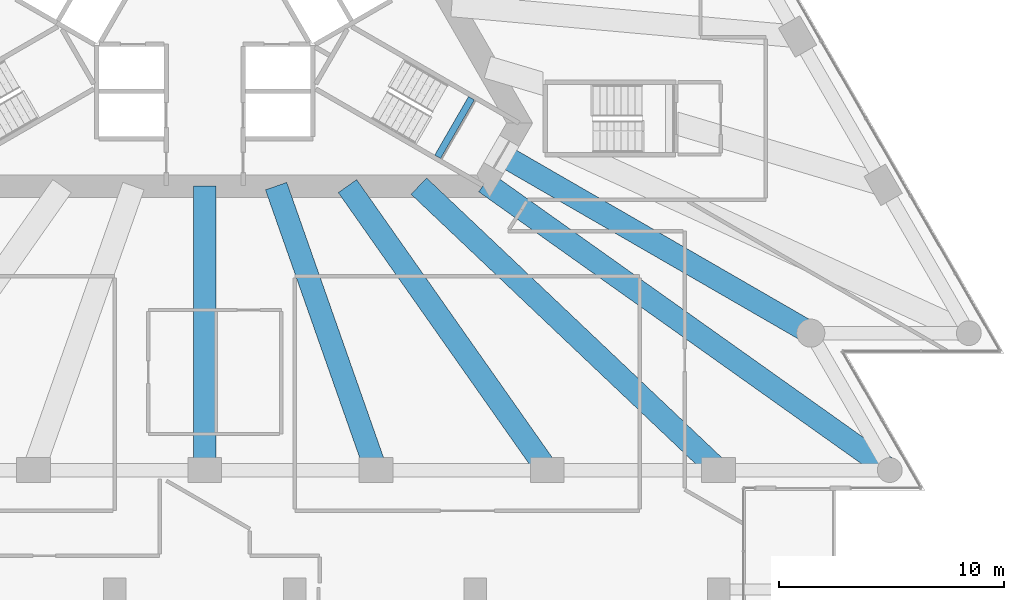
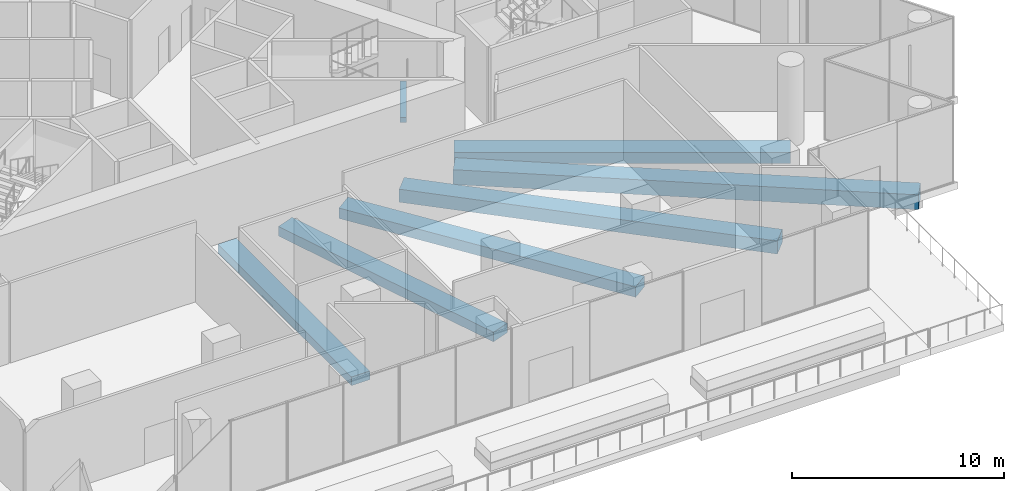
# One storey, part 9 of 32: 7 beams.
"""IFC4 building model written with IfcOpenShell, lengths in metres."""

from ifc_helpers import new_model, si_unit, direction, frame, origin, origin_2d, place, context, subcontext, project, spatial, rectangle, extrude, material, material_profile, profile_set, type_object, element, save


model = new_model("IFC4")

# Units and contexts
model_context = context("Model", 3, precision=1e-05, world=origin(), true_north=direction((0.0, 1.0)))
body_context = subcontext(model_context, "Body", "Model", "MODEL_VIEW")
ifc_project = project(units=[si_unit("LENGTHUNIT", "METRE"), si_unit("AREAUNIT", "SQUARE_METRE"), si_unit("VOLUMEUNIT", "CUBIC_METRE"), si_unit("PLANEANGLEUNIT", "RADIAN"), si_unit("MASSUNIT", "GRAM", prefix="KILO")], contexts=[model_context])

# Site, building, storey
site_placement = place(None, origin())
site = spatial("IfcSite", under=ifc_project, at=site_placement, CompositionType="ELEMENT")
building_placement = place(site_placement, origin())
building = spatial("IfcBuilding", under=site, at=building_placement, Name="Triada Interchange Tower", CompositionType="ELEMENT")
storey_placement = place(building_placement, frame((0.0, 0.0, 25.300048828125)))
storey = spatial("IfcBuildingStorey", under=building, at=storey_placement, Name="L04", CompositionType="ELEMENT", Elevation=25.300048828125)

# Beams
ifc_material_1 = material(Name="Concrete C35/45", Category="concrete")
ifc_material_profile_1 = material_profile(ifc_material_1, rectangle(XDim=0.300048828125, YDim=0.300048828125, at=origin_2d()), Name="RC 300x300")
ifc_profile_set_1 = profile_set([ifc_material_profile_1], Name="Concrete C35/45")
beam_type_1 = type_object("IfcBeamType", Name="Landing support beam RC 300x300", PredefinedType="BEAM", material=ifc_profile_set_1)
beam_1_placement = place(storey_placement, frame((10.3349609375, -7.698974609375, 2.14990234375), z_axis=(0.50002537861, 0.866010750942, 0.0), x_axis=(-0.866010750942, 0.50002537861, 0.0)))
element("IfcBeam", 1, at=beam_1_placement, inside=storey, type_object=beam_type_1, Name="Landing support beam S04-3 1", PredefinedType="BEAM", context=body_context, shape_type="SweptSolid", body=[
    extrude(rectangle(XDim=0.300048828125, YDim=0.300048828125, at=origin_2d()), origin(), (0.0, 0.0, 1.0), 2.999755859375),
])
ifc_material_2 = material(Name="Concrete C50/60", Category="concrete")
ifc_material_profile_2 = material_profile(ifc_material_2, rectangle(XDim=1.0, YDim=0.5, at=origin_2d()), Name="RC 1000x500")
ifc_profile_set_2 = profile_set([ifc_material_profile_2], Name="Concrete C50/60")
beam_type_2 = type_object("IfcBeamType", Name="Radial band beam P RC 1000x500", PredefinedType="BEAM", material=ifc_profile_set_2)
beam_2_placement = place(storey_placement, frame((0.0, -21.60009765625, -0.650146484375), z_axis=(0.0, 1.0, 0.0), x_axis=(-1.0, 0.0, 0.0)))
element("IfcBeam", 2, at=beam_2_placement, inside=storey, type_object=beam_type_2, Name="Radial band beam BP15 L04", PredefinedType="BEAM", context=body_context, shape_type="SweptSolid", body=[
    extrude(rectangle(XDim=1.0, YDim=0.5, at=origin_2d()), origin(), (0.0, 0.0, 1.0), 12.60009765625),
])
ifc_material_profile_3 = material_profile(ifc_material_2, rectangle(XDim=1.0, YDim=0.550048828125, at=origin_2d()), Name="RC 1000x550")
ifc_profile_set_3 = profile_set([ifc_material_profile_3], Name="Concrete C50/60")
beam_type_3 = type_object("IfcBeamType", Name="Radial band beam P RC 1000x550", PredefinedType="BEAM", material=ifc_profile_set_3)
beam_3_placement = place(storey_placement, frame((7.59912109375, -21.60009765625, -0.675048828125), z_axis=(-0.331888742463, 0.943318537201, 0.0), x_axis=(-0.943318537201, -0.331888742463, 0.0)))
element("IfcBeam", 3, at=beam_3_placement, inside=storey, type_object=beam_type_3, Name="Radial band beam BP16 L04", PredefinedType="BEAM", context=body_context, shape_type="SweptSolid", body=[
    extrude(rectangle(XDim=1.0, YDim=0.550048828125, at=origin_2d()), origin(), (0.0, 0.0, 1.0), 13.357177734375),
])
ifc_material_profile_4 = material_profile(ifc_material_2, rectangle(XDim=1.0, YDim=0.60009765625, at=origin_2d()), Name="RC 1000x600")
ifc_profile_set_4 = profile_set([ifc_material_profile_4], Name="Concrete C50/60")
beam_type_4 = type_object("IfcBeamType", Name="Radial band beam P RC 1000x600", PredefinedType="BEAM", material=ifc_profile_set_4)
beam_4_placement = place(storey_placement, frame((15.198974609375, -21.60009765625, -0.699951171875), z_axis=(-0.575460041142, 0.81782989738, 0.0), x_axis=(-0.81782989738, -0.575460041142, 0.0)))
element("IfcBeam", 4, at=beam_4_placement, inside=storey, type_object=beam_type_4, Name="Radial band beam BP17 L04", PredefinedType="BEAM", context=body_context, shape_type="SweptSolid", body=[
    extrude(rectangle(XDim=1.0, YDim=0.60009765625, at=origin_2d()), origin(), (0.0, 0.0, 1.0), 15.40673828125),
])
ifc_material_profile_5 = material_profile(ifc_material_2, rectangle(XDim=1.0, YDim=0.64990234375, at=origin_2d()), Name="RC 1000x650")
ifc_profile_set_5 = profile_set([ifc_material_profile_5], Name="Concrete C50/60")
beam_type_5 = type_object("IfcBeamType", Name="Radial band beam P RC 1000x650", PredefinedType="BEAM", material=ifc_profile_set_5)
beam_5_placement = place(storey_placement, frame((26.889892578125, -15.52490234375, -0.72509765625), z_axis=(-0.866020130944, 0.500009132716, 0.0), x_axis=(-0.500009132716, -0.866020130944, 0.0)))
element("IfcBeam", 5, at=beam_5_placement, inside=storey, type_object=beam_type_5, Name="Radial band beam BP20 L04", PredefinedType="BEAM", context=body_context, shape_type="SweptSolid", body=[
    extrude(rectangle(XDim=1.0, YDim=0.64990234375, at=origin_2d()), origin(), (0.0, 0.0, 1.0), 15.849365234375),
])
ifc_material_profile_6 = material_profile(ifc_material_2, rectangle(XDim=1.0, YDim=0.75, at=origin_2d()), Name="RC 1000x750")
ifc_profile_set_6 = profile_set([ifc_material_profile_6], Name="Concrete C50/60")
beam_type_6 = type_object("IfcBeamType", Name="Radial band beam P RC 1000x750", PredefinedType="BEAM", material=ifc_profile_set_6)
beam_6_placement = place(storey_placement, frame((22.798095703125, -21.60009765625, -0.775146484375), z_axis=(-0.725926069578, 0.687772739723, 0.0), x_axis=(-0.687772739723, -0.725926069578, 0.0)))
element("IfcBeam", 6, at=beam_6_placement, inside=storey, type_object=beam_type_6, Name="Radial band beam BP18 L04", PredefinedType="BEAM", context=body_context, shape_type="SweptSolid", body=[
    extrude(rectangle(XDim=1.0, YDim=0.75, at=origin_2d()), origin(), (0.0, 0.0, 1.0), 18.320068359375),
])
ifc_material_profile_7 = material_profile(ifc_material_2, rectangle(XDim=1.0, YDim=0.85009765625, at=origin_2d()), Name="RC 1000x850")
ifc_profile_set_7 = profile_set([ifc_material_profile_7], Name="Concrete C50/60")
beam_type_7 = type_object("IfcBeamType", Name="Radial band beam P RC 1000x850", PredefinedType="BEAM", material=ifc_profile_set_7)
beam_7_placement = place(storey_placement, frame((30.39697265625, -21.60009765625, -0.824951171875), z_axis=(-0.815163189691, 0.579231364977, 0.0), x_axis=(-0.579231364977, -0.815163189691, 0.0)))
element("IfcBeam", 7, at=beam_7_placement, inside=storey, type_object=beam_type_7, Name="Radial band beam BP19 L04", PredefinedType="BEAM", context=body_context, shape_type="SweptSolid", body=[
    extrude(rectangle(XDim=1.0, YDim=0.85009765625, at=origin_2d()), origin(), (0.0, 0.0, 1.0), 22.0224609375),
])

save(model, "model.ifc")
